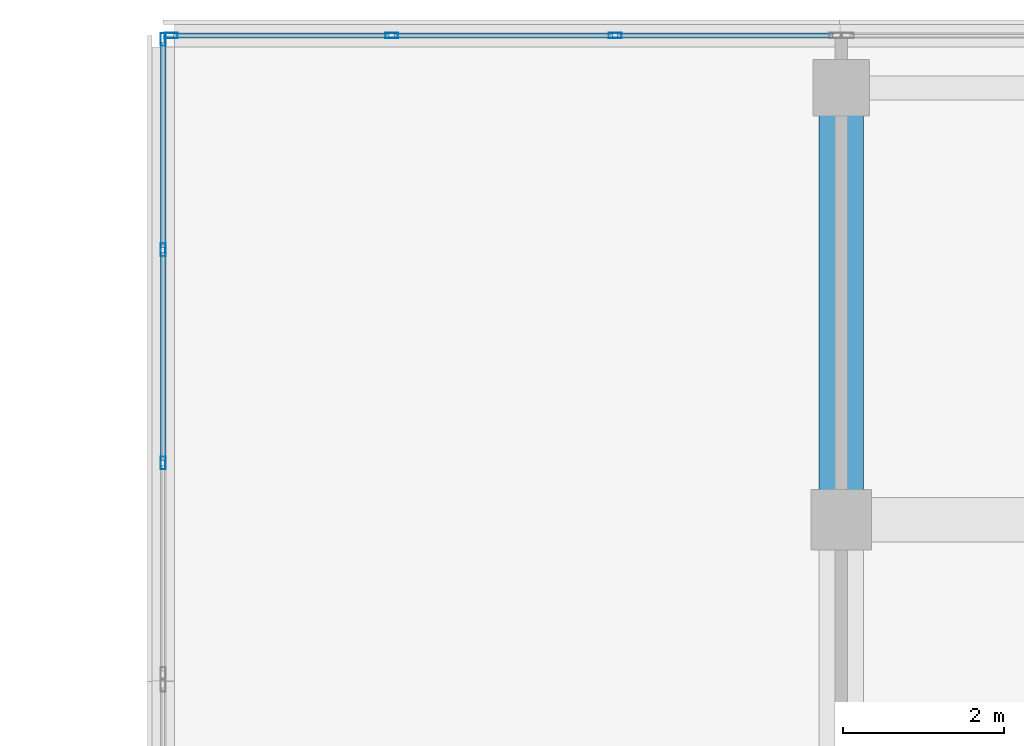
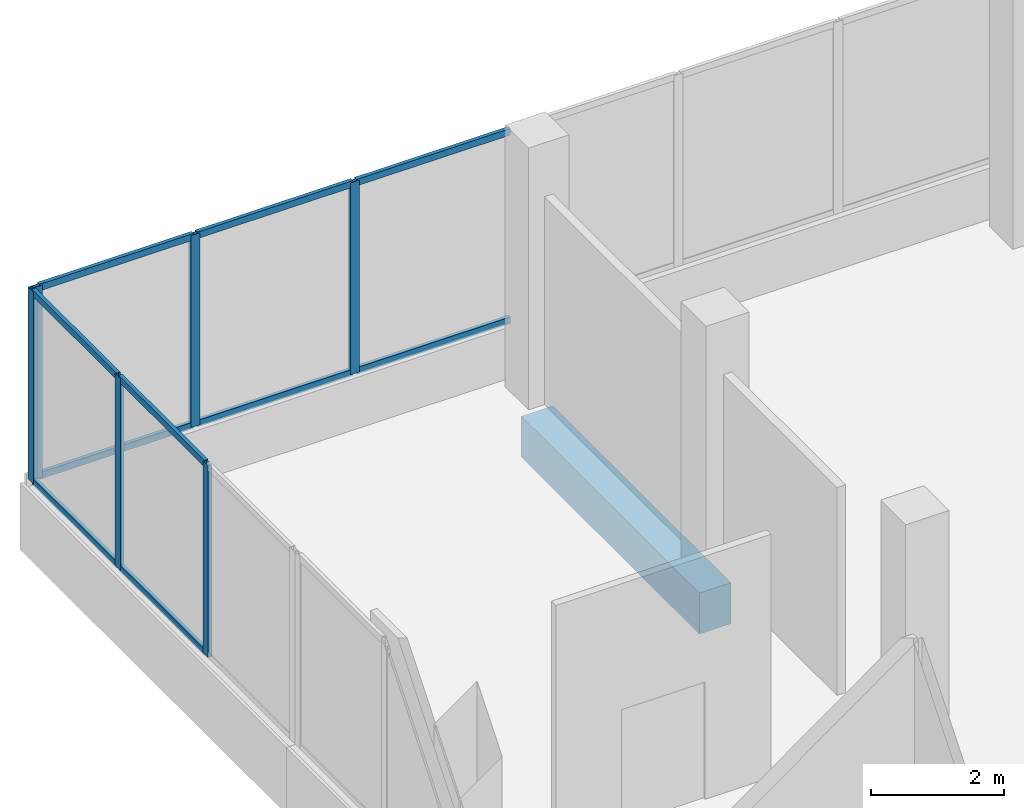
# One storey, part 65 of 155: 16 members, 1 beam, 2 elements without a shape of their own.
"""IFC4 building model written with IfcOpenShell, lengths in metres."""

from ifc_helpers import new_model, si_unit, direction, frame, origin, origin_2d, place, context, subcontext, project, spatial, rectangle, hollow_rectangle, extrude, material, material_profile, profile_set, type_object, element, aggregate, save


model = new_model("IFC4")

# Units and contexts
model_context = context("Model", 3, precision=1e-05, world=origin(), true_north=direction((0.0, 1.0)))
body_context = subcontext(model_context, "Body", "Model", "MODEL_VIEW")
ifc_project = project(units=[si_unit("LENGTHUNIT", "METRE"), si_unit("AREAUNIT", "SQUARE_METRE"), si_unit("VOLUMEUNIT", "CUBIC_METRE"), si_unit("PLANEANGLEUNIT", "RADIAN"), si_unit("MASSUNIT", "GRAM", prefix="KILO")], contexts=[model_context])

# Site, building, storey
site_placement = place(None, origin())
site = spatial("IfcSite", under=ifc_project, at=site_placement, CompositionType="ELEMENT")
building_placement = place(site_placement, origin())
building = spatial("IfcBuilding", under=site, at=building_placement, Name="Selatvlak General Hospital", CompositionType="ELEMENT")
storey_placement = place(building_placement, frame((0.0, 0.0, 10.199951171875)))
storey = spatial("IfcBuildingStorey", under=building, at=storey_placement, Name="L02", CompositionType="ELEMENT", Elevation=10.199951171875)

# Beam
ifc_material_1 = material(Name="Concrete C40/50", Category="concrete")
ifc_material_profile_1 = material_profile(ifc_material_1, rectangle(XDim=0.550048828125, YDim=0.75, at=origin_2d()), Name="RC-BM 550x750")
ifc_profile_set_1 = profile_set([ifc_material_profile_1], Name="Concrete C40/50")
beam_type = type_object("IfcBeamType", Name="BM-G02", PredefinedType="BEAM", material=ifc_profile_set_1)
beam_placement = place(storey_placement, frame((22.800048828125, 114.0, -0.72998046875), z_axis=(0.0, 1.0, 0.0), x_axis=(-1.0, 0.0, 0.0)))
element("IfcBeam", 1, at=beam_placement, inside=storey, type_object=beam_type, Name="Beam BMR-L02-0933", PredefinedType="BEAM", context=body_context, shape_type="SweptSolid", body=[
    extrude(rectangle(XDim=0.550048828125, YDim=0.75, at=origin_2d()), origin(), (0.0, 0.0, 1.0), 5.35009765625),
])

# Curtain wall, members
ifc_material_2 = material(Name="Solar-control Low-E double glazing", Category="glass")
curtain_wall_type_1 = type_object("IfcCurtainWallType", Name="CW-CW-01", PredefinedType="USERDEFINED", material=ifc_material_2)
curtain_wall_1_placement = place(storey_placement, origin())
curtain_wall_1 = element("IfcCurtainWall", 2, at=curtain_wall_1_placement, inside=storey, type_object=curtain_wall_type_1, Name="Glazed facade curtain wall CW-L02-0242", ObjectType="UNITISED CURTAIN WALL", PredefinedType="USERDEFINED")
ifc_material_3 = material(Name="Dark anodised aluminium mullion", Category="aluminium")
ifc_material_profile_2 = material_profile(ifc_material_3, hollow_rectangle(XDim=0.06494140625, YDim=0.159912109375, WallThickness=0.00390625, at=origin_2d()), Name="AL-MUL 65x160x4")
ifc_profile_set_2 = profile_set([ifc_material_profile_2], Name="Dark anodised aluminium mullion")
member_type_1 = type_object("IfcMemberType", Name="CWM-01", PredefinedType="MULLION", material=ifc_profile_set_2)
member_1_placement = place(storey_placement, frame((14.39990234375, 114.7041015625, 0.93994140625), z_axis=(0.0, 0.0, 1.0), x_axis=(-1.0, 0.0, 0.0)))
member_1 = element("IfcMember", 3, at=member_1_placement, type_object=member_type_1, Name="CW-01 mullion 2", PredefinedType="MULLION", context=body_context, shape_type="SweptSolid", body=[
    extrude(hollow_rectangle(XDim=0.06494140625, YDim=0.159912109375, WallThickness=0.00390625, at=origin_2d()), origin(), (0.0, 0.0, 1.0), 3.52001953125),
])
member_2_placement = place(storey_placement, frame((14.39990234375, 117.343994140625, 0.93994140625), z_axis=(0.0, 0.0, 1.0), x_axis=(-1.0, 0.0, 0.0)))
member_2 = element("IfcMember", 4, at=member_2_placement, type_object=member_type_1, Name="CW-01 mullion 3", PredefinedType="MULLION", context=body_context, shape_type="SweptSolid", body=[
    extrude(hollow_rectangle(XDim=0.06494140625, YDim=0.159912109375, WallThickness=0.00390625, at=origin_2d()), origin(), (0.0, 0.0, 1.0), 3.52001953125),
])
member_3_placement = place(storey_placement, frame((14.39990234375, 119.951416015625, 0.93994140625), z_axis=(0.0, 0.0, 1.0), x_axis=(-1.0, 0.0, 0.0)))
member_3 = element("IfcMember", 5, at=member_3_placement, type_object=member_type_1, Name="CW-01 mullion 4", PredefinedType="MULLION", context=body_context, shape_type="SweptSolid", body=[
    extrude(hollow_rectangle(XDim=0.06494140625, YDim=0.159912109375, WallThickness=0.00390625, at=origin_2d()), origin(), (0.0, 0.0, 1.0), 3.52001953125),
])

curtain_wall_type_2 = type_object("IfcCurtainWallType", Name="CW-CW-02", PredefinedType="USERDEFINED", material=ifc_material_2)
curtain_wall_2_placement = place(storey_placement, origin())
curtain_wall_2 = element("IfcCurtainWall", 6, at=curtain_wall_2_placement, inside=storey, type_object=curtain_wall_type_2, Name="Glazed facade curtain wall CW-L02-0243", ObjectType="UNITISED CURTAIN WALL", PredefinedType="USERDEFINED")
member_4_placement = place(storey_placement, frame((14.49755859375, 119.9990234375, 0.93994140625), z_axis=(0.0, 0.0, 1.0), x_axis=(0.0, 1.0, 0.0)))
member_4 = element("IfcMember", 7, at=member_4_placement, type_object=member_type_1, Name="CW-02 mullion 1", PredefinedType="MULLION", context=body_context, shape_type="SweptSolid", body=[
    extrude(hollow_rectangle(XDim=0.06494140625, YDim=0.159912109375, WallThickness=0.00390625, at=origin_2d()), origin(), (0.0, 0.0, 1.0), 3.52001953125),
])
member_5_placement = place(storey_placement, frame((17.231689453125, 119.9990234375, 0.93994140625), z_axis=(0.0, 0.0, 1.0), x_axis=(0.0, 1.0, 0.0)))
member_5 = element("IfcMember", 8, at=member_5_placement, type_object=member_type_1, Name="CW-02 mullion 2", PredefinedType="MULLION", context=body_context, shape_type="SweptSolid", body=[
    extrude(hollow_rectangle(XDim=0.06494140625, YDim=0.159912109375, WallThickness=0.00390625, at=origin_2d()), origin(), (0.0, 0.0, 1.0), 3.52001953125),
])
member_6_placement = place(storey_placement, frame((19.998291015625, 119.9990234375, 0.93994140625), z_axis=(0.0, 0.0, 1.0), x_axis=(0.0, 1.0, 0.0)))
member_6 = element("IfcMember", 9, at=member_6_placement, type_object=member_type_1, Name="CW-02 mullion 3", PredefinedType="MULLION", context=body_context, shape_type="SweptSolid", body=[
    extrude(hollow_rectangle(XDim=0.06494140625, YDim=0.159912109375, WallThickness=0.00390625, at=origin_2d()), origin(), (0.0, 0.0, 1.0), 3.52001953125),
])

# Member
ifc_material_profile_3 = material_profile(ifc_material_3, hollow_rectangle(XDim=0.06494140625, YDim=0.1201171875, WallThickness=0.00390625, at=origin_2d()), Name="AL-TRN 65x120x4")
ifc_profile_set_3 = profile_set([ifc_material_profile_3], Name="Dark anodised aluminium mullion")
member_type_2 = type_object("IfcMemberType", Name="CWT-01", PredefinedType="USERDEFINED", material=ifc_profile_set_3)
member_7_placement = place(storey_placement, frame((14.39990234375, 114.736572265625, 0.97265625), z_axis=(0.0, 1.0, 0.0), x_axis=(-1.0, 0.0, 0.0)))
member_7 = element("IfcMember", 10, at=member_7_placement, type_object=member_type_2, Name="CW-01 transom 2.1", ObjectType="TRANSOM", PredefinedType="USERDEFINED", context=body_context, shape_type="SweptSolid", body=[
    extrude(hollow_rectangle(XDim=0.06494140625, YDim=0.1201171875, WallThickness=0.00390625, at=origin_2d()), origin(), (0.0, 0.0, 1.0), 2.574951171875),
])

member_8_placement = place(storey_placement, frame((14.39990234375, 114.736572265625, 4.427490234375), z_axis=(0.0, 1.0, 0.0), x_axis=(-1.0, 0.0, 0.0)))
member_8 = element("IfcMember", 11, at=member_8_placement, type_object=member_type_2, Name="CW-01 transom 2.2", ObjectType="TRANSOM", PredefinedType="USERDEFINED", context=body_context, shape_type="SweptSolid", body=[
    extrude(hollow_rectangle(XDim=0.06494140625, YDim=0.1201171875, WallThickness=0.00390625, at=origin_2d()), origin(), (0.0, 0.0, 1.0), 2.574951171875),
])

member_9_placement = place(storey_placement, frame((14.39990234375, 117.37646484375, 0.97265625), z_axis=(0.0, 1.0, 0.0), x_axis=(-1.0, 0.0, 0.0)))
member_9 = element("IfcMember", 12, at=member_9_placement, type_object=member_type_2, Name="CW-01 transom 3.1", ObjectType="TRANSOM", PredefinedType="USERDEFINED", context=body_context, shape_type="SweptSolid", body=[
    extrude(hollow_rectangle(XDim=0.06494140625, YDim=0.1201171875, WallThickness=0.00390625, at=origin_2d()), origin(), (0.0, 0.0, 1.0), 2.54248046875),
])

member_10_placement = place(storey_placement, frame((14.39990234375, 117.37646484375, 4.427490234375), z_axis=(0.0, 1.0, 0.0), x_axis=(-1.0, 0.0, 0.0)))
member_10 = element("IfcMember", 13, at=member_10_placement, type_object=member_type_2, Name="CW-01 transom 3.2", ObjectType="TRANSOM", PredefinedType="USERDEFINED", context=body_context, shape_type="SweptSolid", body=[
    extrude(hollow_rectangle(XDim=0.06494140625, YDim=0.1201171875, WallThickness=0.00390625, at=origin_2d()), origin(), (0.0, 0.0, 1.0), 2.54248046875),
])

aggregate(curtain_wall_1, [member_1, member_2, member_3, member_7, member_8, member_9, member_10])

member_11_placement = place(storey_placement, frame((14.530029296875, 119.9990234375, 0.97265625), z_axis=(1.0, 0.0, 0.0), x_axis=(0.0, 1.0, 0.0)))
member_11 = element("IfcMember", 14, at=member_11_placement, type_object=member_type_2, Name="CW-02 transom 1.1", ObjectType="TRANSOM", PredefinedType="USERDEFINED", context=body_context, shape_type="SweptSolid", body=[
    extrude(hollow_rectangle(XDim=0.06494140625, YDim=0.1201171875, WallThickness=0.00390625, at=origin_2d()), origin(), (0.0, 0.0, 1.0), 2.669189453125),
])

member_12_placement = place(storey_placement, frame((14.530029296875, 119.9990234375, 4.427490234375), z_axis=(1.0, 0.0, 0.0), x_axis=(0.0, 1.0, 0.0)))
member_12 = element("IfcMember", 15, at=member_12_placement, type_object=member_type_2, Name="CW-02 transom 1.2", ObjectType="TRANSOM", PredefinedType="USERDEFINED", context=body_context, shape_type="SweptSolid", body=[
    extrude(hollow_rectangle(XDim=0.06494140625, YDim=0.1201171875, WallThickness=0.00390625, at=origin_2d()), origin(), (0.0, 0.0, 1.0), 2.669189453125),
])

member_13_placement = place(storey_placement, frame((17.26416015625, 119.9990234375, 0.97265625), z_axis=(1.0, 0.0, 0.0), x_axis=(0.0, 1.0, 0.0)))
member_13 = element("IfcMember", 16, at=member_13_placement, type_object=member_type_2, Name="CW-02 transom 2.1", ObjectType="TRANSOM", PredefinedType="USERDEFINED", context=body_context, shape_type="SweptSolid", body=[
    extrude(hollow_rectangle(XDim=0.06494140625, YDim=0.1201171875, WallThickness=0.00390625, at=origin_2d()), origin(), (0.0, 0.0, 1.0), 2.70166015625),
])

member_14_placement = place(storey_placement, frame((17.26416015625, 119.9990234375, 4.427490234375), z_axis=(1.0, 0.0, 0.0), x_axis=(0.0, 1.0, 0.0)))
member_14 = element("IfcMember", 17, at=member_14_placement, type_object=member_type_2, Name="CW-02 transom 2.2", ObjectType="TRANSOM", PredefinedType="USERDEFINED", context=body_context, shape_type="SweptSolid", body=[
    extrude(hollow_rectangle(XDim=0.06494140625, YDim=0.1201171875, WallThickness=0.00390625, at=origin_2d()), origin(), (0.0, 0.0, 1.0), 2.70166015625),
])

member_15_placement = place(storey_placement, frame((20.03076171875, 119.9990234375, 0.97265625), z_axis=(1.0, 0.0, 0.0), x_axis=(0.0, 1.0, 0.0)))
member_15 = element("IfcMember", 18, at=member_15_placement, type_object=member_type_2, Name="CW-02 transom 3.1", ObjectType="TRANSOM", PredefinedType="USERDEFINED", context=body_context, shape_type="SweptSolid", body=[
    extrude(hollow_rectangle(XDim=0.06494140625, YDim=0.1201171875, WallThickness=0.00390625, at=origin_2d()), origin(), (0.0, 0.0, 1.0), 2.669189453125),
])

member_16_placement = place(storey_placement, frame((20.03076171875, 119.9990234375, 4.427490234375), z_axis=(1.0, 0.0, 0.0), x_axis=(0.0, 1.0, 0.0)))
member_16 = element("IfcMember", 19, at=member_16_placement, type_object=member_type_2, Name="CW-02 transom 3.2", ObjectType="TRANSOM", PredefinedType="USERDEFINED", context=body_context, shape_type="SweptSolid", body=[
    extrude(hollow_rectangle(XDim=0.06494140625, YDim=0.1201171875, WallThickness=0.00390625, at=origin_2d()), origin(), (0.0, 0.0, 1.0), 2.669189453125),
])

aggregate(curtain_wall_2, [member_4, member_5, member_6, member_11, member_12, member_13, member_14, member_15, member_16])

save(model, "model.ifc")
